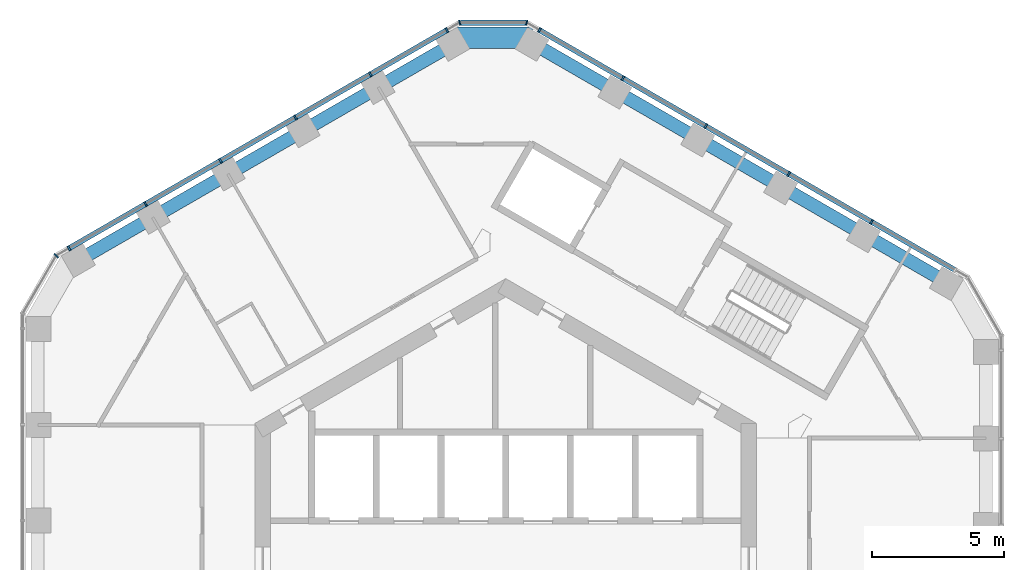
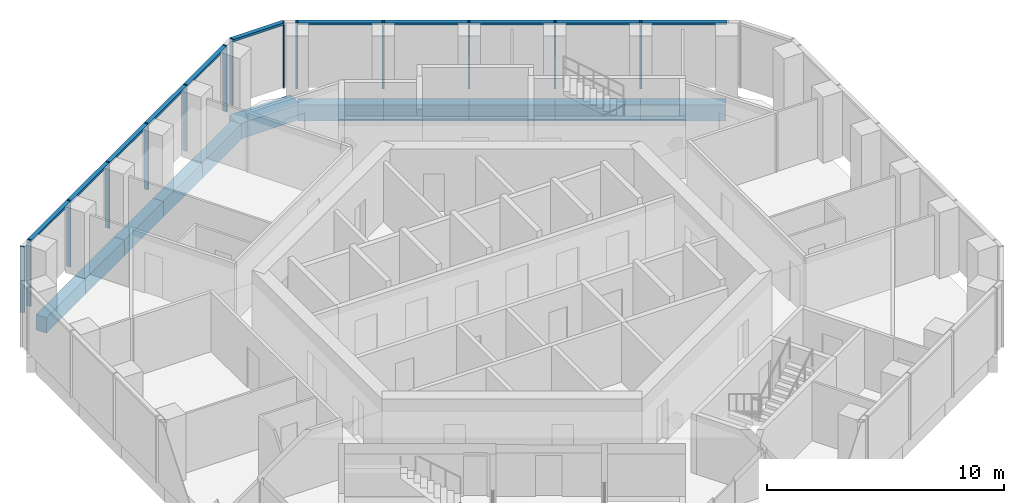
# One storey, part 6 of 18: 17 members, 11 beams, 4 elements without a shape of their own.
"""IFC4 building model written with IfcOpenShell, lengths in metres."""

from ifc_helpers import new_model, si_unit, direction, frame, origin, origin_2d, place, context, subcontext, project, spatial, rectangle, extrude, material, layer, layer_set, material_profile, profile_set, type_object, element, aggregate, save


model = new_model("IFC4")

# Units and contexts
model_context = context("Model", 3, precision=1e-05, world=origin(), true_north=direction((0.0, 1.0)))
body_context = subcontext(model_context, "Body", "Model", "MODEL_VIEW")
ifc_project = project(units=[si_unit("LENGTHUNIT", "METRE"), si_unit("AREAUNIT", "SQUARE_METRE"), si_unit("VOLUMEUNIT", "CUBIC_METRE"), si_unit("PLANEANGLEUNIT", "RADIAN"), si_unit("MASSUNIT", "GRAM", prefix="KILO")], contexts=[model_context])

# Site, building, storey
site_placement = place(None, origin())
site = spatial("IfcSite", under=ifc_project, at=site_placement, CompositionType="ELEMENT")
building_placement = place(site_placement, origin())
building = spatial("IfcBuilding", under=site, at=building_placement, Name="Ayvan Gate Tower", CompositionType="ELEMENT")
storey_placement = place(building_placement, frame((0.0, 0.0, 179.89990234375)))
storey = spatial("IfcBuildingStorey", under=building, at=storey_placement, Name="L48", CompositionType="ELEMENT", Elevation=179.89990234375)

# Beams
ifc_material_1 = material(Name="Concrete C40/50", Category="concrete")
ifc_material_profile_1 = material_profile(ifc_material_1, rectangle(XDim=0.800048828125, YDim=0.800048828125, at=origin_2d()), Name="RC 800x800")
ifc_profile_set_1 = profile_set([ifc_material_profile_1], Name="Concrete C40/50")
beam_type_1 = type_object("IfcBeamType", Name="Corner spandrel beam RC 800x800 C40/50", PredefinedType="BEAM", material=ifc_profile_set_1)
beam_1_placement = place(storey_placement, frame((1.038330078125, 20.08740234375, -0.75), z_axis=(-1.0, 0.0, 0.0), x_axis=(0.0, -1.0, 0.0)))
element("IfcBeam", 1, at=beam_1_placement, inside=storey, type_object=beam_type_1, Name="SB-L48-12", PredefinedType="BEAM", context=body_context, shape_type="SweptSolid", body=[
    extrude(rectangle(XDim=0.800048828125, YDim=0.800048828125, at=origin_2d()), origin(), (0.0, 0.0, 1.0), 3.0),
])
ifc_material_profile_2 = material_profile(ifc_material_1, rectangle(XDim=0.5, YDim=0.800048828125, at=origin_2d()), Name="RC 500x800")
ifc_profile_set_2 = profile_set([ifc_material_profile_2], Name="Concrete C40/50")
beam_type_2 = type_object("IfcBeamType", Name="Spandrel beam RC 500x800 C40/50", PredefinedType="BEAM", material=ifc_profile_set_2)
for number, where, z_axis, x_axis, name in (
    (2, (16.6865234375, 10.8330078125, -0.75), (-0.866026957163, 0.49999730946, 0.0), (-0.49999730946, -0.866026957163, 0.0), "SB-L48-7"),
    (3, (13.556884765625, 12.639892578125, -0.75), (-0.866026957163, 0.49999730946, 0.0), (-0.49999730946, -0.866026957163, 0.0), "SB-L48-8"),
    (4, (10.42724609375, 14.44677734375, -0.75), (-0.866026957163, 0.49999730946, 0.0), (-0.49999730946, -0.866026957163, 0.0), "SB-L48-9"),
    (5, (7.297607421875, 16.253662109375, -0.75), (-0.866026957163, 0.49999730946, 0.0), (-0.49999730946, -0.866026957163, 0.0), "SB-L48-10"),
    (6, (4.16796875, 18.060546875, -0.75), (-0.866026957163, 0.49999730946, 0.0), (-0.49999730946, -0.866026957163, 0.0), "SB-L48-11"),
):
    element("IfcBeam", number, at=place(storey_placement, frame(where, z_axis=z_axis, x_axis=x_axis)), inside=storey, type_object=beam_type_2, Name=name, PredefinedType="BEAM", context=body_context, shape_type="SweptSolid", body=[
        extrude(rectangle(XDim=0.5, YDim=0.800048828125, at=origin_2d()), origin(), (0.0, 0.0, 1.0), 3.61376953125),
    ])
beam_2_placement = place(storey_placement, frame((-1.961669921875, 19.867431640625, -0.75), z_axis=(-0.866017718408, -0.500013311227, 0.0), x_axis=(0.500013311227, -0.866017718408, 0.0)))
element("IfcBeam", 7, at=beam_2_placement, inside=storey, type_object=beam_type_2, Name="SB-L48-13", PredefinedType="BEAM", context=body_context, shape_type="SweptSolid", body=[
    extrude(rectangle(XDim=0.5, YDim=0.800048828125, at=origin_2d()), origin(), (0.0, 0.0, 1.0), 3.2939453125),
])
beam_3_placement = place(storey_placement, frame((-4.814208984375, 18.220458984375, -0.75), z_axis=(-0.866036247602, -0.499981217486, 0.0), x_axis=(0.499981217486, -0.866036247602, 0.0)))
element("IfcBeam", 8, at=beam_3_placement, inside=storey, type_object=beam_type_2, Name="SB-L48-14", PredefinedType="BEAM", context=body_context, shape_type="SweptSolid", body=[
    extrude(rectangle(XDim=0.5, YDim=0.800048828125, at=origin_2d()), origin(), (0.0, 0.0, 1.0), 3.294189453125),
])
beam_4_placement = place(storey_placement, frame((-7.6669921875, 16.573486328125, -0.75), z_axis=(-0.866017718408, -0.500013311227, 0.0), x_axis=(0.500013311227, -0.866017718408, 0.0)))
element("IfcBeam", 9, at=beam_4_placement, inside=storey, type_object=beam_type_2, Name="SB-L48-15", PredefinedType="BEAM", context=body_context, shape_type="SweptSolid", body=[
    extrude(rectangle(XDim=0.5, YDim=0.800048828125, at=origin_2d()), origin(), (0.0, 0.0, 1.0), 3.2939453125),
])
beam_5_placement = place(storey_placement, frame((-10.51953125, 14.926513671875, -0.75), z_axis=(-0.866036247602, -0.499981217486, 0.0), x_axis=(0.499981217486, -0.866036247602, 0.0)))
element("IfcBeam", 10, at=beam_5_placement, inside=storey, type_object=beam_type_2, Name="SB-L48-16", PredefinedType="BEAM", context=body_context, shape_type="SweptSolid", body=[
    extrude(rectangle(XDim=0.5, YDim=0.800048828125, at=origin_2d()), origin(), (0.0, 0.0, 1.0), 3.294189453125),
])
beam_6_placement = place(storey_placement, frame((-13.372314453125, 13.279541015625, -0.75), z_axis=(-0.866017718408, -0.500013311227, 0.0), x_axis=(0.500013311227, -0.866017718408, 0.0)))
element("IfcBeam", 11, at=beam_6_placement, inside=storey, type_object=beam_type_2, Name="SB-L48-17", PredefinedType="BEAM", context=body_context, shape_type="SweptSolid", body=[
    extrude(rectangle(XDim=0.5, YDim=0.800048828125, at=origin_2d()), origin(), (0.0, 0.0, 1.0), 3.2939453125),
])

# Curtain wall, members
ifc_material_2 = material(Name="Bronze anodised aluminium", Category="aluminium")
ifc_layer_1 = layer(ifc_material_2, 0.199951171875)
ifc_layer_set_1 = layer_set([ifc_layer_1], Name="Bronze anodised aluminium")
curtain_wall_type_1 = type_object("IfcCurtainWallType", Name="Stick curtain wall CW-2", PredefinedType="NOTDEFINED", material=ifc_layer_set_1)
curtain_wall_1_placement = place(storey_placement, origin())
curtain_wall_1 = element("IfcCurtainWall", 12, at=curtain_wall_1_placement, inside=storey, type_object=curtain_wall_type_1, Name="Stick curtain wall CW-2 L48", PredefinedType="NOTDEFINED")
ifc_material_profile_3 = material_profile(ifc_material_2, rectangle(XDim=0.199951171875, YDim=0.070068359375, at=origin_2d()), Name="Stick curtain wall CW-2 mullion 200 x 70")
ifc_profile_set_3 = profile_set([ifc_material_profile_3], Name="Bronze anodised aluminium")
member_type_1 = type_object("IfcMemberType", Name="Stick curtain wall CW-2 mullion 200 x 70", PredefinedType="MULLION", material=ifc_profile_set_3)
member_1_placement = place(storey_placement, frame((-2.22705078125, 20.378173828125, 0.0), z_axis=(0.0, 0.0, 1.0), x_axis=(-0.5, 0.866025403784, 0.0)))
member_1 = element("IfcMember", 13, at=member_1_placement, type_object=member_type_1, Name="CW-2 mullion 1", PredefinedType="MULLION", context=body_context, shape_type="SweptSolid", body=[
    extrude(rectangle(XDim=0.199951171875, YDim=0.070068359375, at=origin_2d()), origin(), (0.0, 0.0, 1.0), 3.400146484375),
])
member_2_placement = place(storey_placement, frame((-5.12744140625, 18.70361328125, 0.0), z_axis=(0.0, 0.0, 1.0), x_axis=(-0.5, 0.866025403784, 0.0)))
member_2 = element("IfcMember", 14, at=member_2_placement, type_object=member_type_1, Name="CW-2 mullion 2", PredefinedType="MULLION", context=body_context, shape_type="SweptSolid", body=[
    extrude(rectangle(XDim=0.199951171875, YDim=0.070068359375, at=origin_2d()), origin(), (0.0, 0.0, 1.0), 3.400146484375),
])
member_3_placement = place(storey_placement, frame((-7.962646484375, 17.066650390625, 0.0), z_axis=(0.0, 0.0, 1.0), x_axis=(-0.5, 0.866025403784, 0.0)))
member_3 = element("IfcMember", 15, at=member_3_placement, type_object=member_type_1, Name="CW-2 mullion 3", PredefinedType="MULLION", context=body_context, shape_type="SweptSolid", body=[
    extrude(rectangle(XDim=0.199951171875, YDim=0.070068359375, at=origin_2d()), origin(), (0.0, 0.0, 1.0), 3.400146484375),
])
member_4_placement = place(storey_placement, frame((-10.798828125, 15.42919921875, 0.0), z_axis=(0.0, 0.0, 1.0), x_axis=(-0.5, 0.866025403784, 0.0)))
member_4 = element("IfcMember", 16, at=member_4_placement, type_object=member_type_1, Name="CW-2 mullion 4", PredefinedType="MULLION", context=body_context, shape_type="SweptSolid", body=[
    extrude(rectangle(XDim=0.199951171875, YDim=0.070068359375, at=origin_2d()), origin(), (0.0, 0.0, 1.0), 3.400146484375),
])
member_5_placement = place(storey_placement, frame((-13.63427734375, 13.792236328125, 0.0), z_axis=(0.0, 0.0, 1.0), x_axis=(-0.5, 0.866025403784, 0.0)))
member_5 = element("IfcMember", 17, at=member_5_placement, type_object=member_type_1, Name="CW-2 mullion 5", PredefinedType="MULLION", context=body_context, shape_type="SweptSolid", body=[
    extrude(rectangle(XDim=0.199951171875, YDim=0.070068359375, at=origin_2d()), origin(), (0.0, 0.0, 1.0), 3.400146484375),
])
member_6_placement = place(storey_placement, frame((-16.534423828125, 12.11767578125, 0.0), z_axis=(0.0, 0.0, 1.0), x_axis=(-0.5, 0.866025403784, 0.0)))
member_6 = element("IfcMember", 18, at=member_6_placement, type_object=member_type_1, Name="CW-2 mullion 6", PredefinedType="MULLION", context=body_context, shape_type="SweptSolid", body=[
    extrude(rectangle(XDim=0.199951171875, YDim=0.070068359375, at=origin_2d()), origin(), (0.0, 0.0, 1.0), 3.400146484375),
])

curtain_wall_2_placement = place(storey_placement, origin())
curtain_wall_2 = element("IfcCurtainWall", 19, at=curtain_wall_2_placement, inside=storey, type_object=curtain_wall_type_1, Name="Stick curtain wall CW-2 L48", PredefinedType="NOTDEFINED")
member_7_placement = place(storey_placement, frame((13.850830078125, 13.118896484375, 0.0), z_axis=(0.0, 0.0, 1.0), x_axis=(0.5, 0.866025403784, 0.0)))
member_7 = element("IfcMember", 20, at=member_7_placement, type_object=member_type_1, Name="CW-2 mullion 2", PredefinedType="MULLION", context=body_context, shape_type="SweptSolid", body=[
    extrude(rectangle(XDim=0.199951171875, YDim=0.070068359375, at=origin_2d()), origin(), (0.0, 0.0, 1.0), 3.400146484375),
])
member_8_placement = place(storey_placement, frame((10.71240234375, 14.930908203125, 0.0), z_axis=(0.0, 0.0, 1.0), x_axis=(0.5, 0.866025403784, 0.0)))
member_8 = element("IfcMember", 21, at=member_8_placement, type_object=member_type_1, Name="CW-2 mullion 3", PredefinedType="MULLION", context=body_context, shape_type="SweptSolid", body=[
    extrude(rectangle(XDim=0.199951171875, YDim=0.070068359375, at=origin_2d()), origin(), (0.0, 0.0, 1.0), 3.400146484375),
])
member_9_placement = place(storey_placement, frame((7.573974609375, 16.742919921875, 0.0), z_axis=(0.0, 0.0, 1.0), x_axis=(0.5, 0.866025403784, 0.0)))
member_9 = element("IfcMember", 22, at=member_9_placement, type_object=member_type_1, Name="CW-2 mullion 4", PredefinedType="MULLION", context=body_context, shape_type="SweptSolid", body=[
    extrude(rectangle(XDim=0.199951171875, YDim=0.070068359375, at=origin_2d()), origin(), (0.0, 0.0, 1.0), 3.400146484375),
])
member_10_placement = place(storey_placement, frame((4.436279296875, 18.554443359375, 0.0), z_axis=(0.0, 0.0, 1.0), x_axis=(0.5, 0.866025403784, 0.0)))
member_10 = element("IfcMember", 23, at=member_10_placement, type_object=member_type_1, Name="CW-2 mullion 5", PredefinedType="MULLION", context=body_context, shape_type="SweptSolid", body=[
    extrude(rectangle(XDim=0.199951171875, YDim=0.070068359375, at=origin_2d()), origin(), (0.0, 0.0, 1.0), 3.400146484375),
])
member_11_placement = place(storey_placement, frame((1.277587890625, 20.378173828125, 0.0), z_axis=(0.0, 0.0, 1.0), x_axis=(0.5, 0.866025403784, 0.0)))
member_11 = element("IfcMember", 24, at=member_11_placement, type_object=member_type_1, Name="CW-2 mullion 6", PredefinedType="MULLION", context=body_context, shape_type="SweptSolid", body=[
    extrude(rectangle(XDim=0.199951171875, YDim=0.070068359375, at=origin_2d()), origin(), (0.0, 0.0, 1.0), 3.400146484375),
])

# Member
ifc_material_profile_4 = material_profile(ifc_material_2, rectangle(XDim=0.199951171875, YDim=0.1201171875, at=origin_2d()), Name="Stick curtain wall CW-2 transom 200 x 120")
ifc_profile_set_4 = profile_set([ifc_material_profile_4], Name="Bronze anodised aluminium")
member_type_2 = type_object("IfcMemberType", Name="Stick curtain wall CW-2 transom 200 x 120", PredefinedType="USERDEFINED", material=ifc_profile_set_4)
member_12_placement = place(storey_placement, frame((-2.22705078125, 20.378173828125, 3.340087890625), z_axis=(-0.866021934407, -0.500006009089, 0.0), x_axis=(0.500006009089, -0.866021934407, 0.0)))
member_12 = element("IfcMember", 25, at=member_12_placement, type_object=member_type_2, Name="CW-2 transom 1", ObjectType="TRANSOM", PredefinedType="USERDEFINED", context=body_context, shape_type="SweptSolid", body=[
    extrude(rectangle(XDim=0.199951171875, YDim=0.1201171875, at=origin_2d()), origin(), (0.0, 0.0, 1.0), 16.520751953125),
])

aggregate(curtain_wall_1, [member_1, member_2, member_3, member_4, member_5, member_6, member_12])

member_13_placement = place(storey_placement, frame((17.00927734375, 11.29541015625, 3.340087890625), z_axis=(-0.866023770186, 0.500002829465, 0.0), x_axis=(-0.500002829465, -0.866023770186, 0.0)))
member_13 = element("IfcMember", 26, at=member_13_placement, type_object=member_type_2, Name="CW-2 transom 1", ObjectType="TRANSOM", PredefinedType="USERDEFINED", context=body_context, shape_type="SweptSolid", body=[
    extrude(rectangle(XDim=0.199951171875, YDim=0.1201171875, at=origin_2d()), origin(), (0.0, 0.0, 1.0), 18.16552734375),
])

aggregate(curtain_wall_2, [member_7, member_8, member_9, member_10, member_11, member_13])

# Curtain wall, member
ifc_layer_2 = layer(ifc_material_2, 0.199951171875)
ifc_layer_set_2 = layer_set([ifc_layer_2], Name="Bronze anodised aluminium")
curtain_wall_type_2 = type_object("IfcCurtainWallType", Name="Stick curtain wall CW-6", PredefinedType="NOTDEFINED", material=ifc_layer_set_2)
curtain_wall_3_placement = place(storey_placement, origin())
curtain_wall_3 = element("IfcCurtainWall", 27, at=curtain_wall_3_placement, inside=storey, type_object=curtain_wall_type_2, Name="Stick curtain wall CW-6 L48", PredefinedType="NOTDEFINED")
ifc_material_profile_5 = material_profile(ifc_material_2, rectangle(XDim=0.199951171875, YDim=0.050048828125, at=origin_2d()), Name="Stick curtain wall CW-6 mullion 200 x 50")
ifc_profile_set_5 = profile_set([ifc_material_profile_5], Name="Bronze anodised aluminium")
member_type_3 = type_object("IfcMemberType", Name="Stick curtain wall CW-6 mullion 200 x 50", PredefinedType="MULLION", material=ifc_profile_set_5)
member_14_placement = place(storey_placement, frame((-17.01953125, 11.837646484375, 0.0), z_axis=(0.0, 0.0, 1.0), x_axis=(-0.707106781187, 0.707106781187, 0.0)))
member_14 = element("IfcMember", 28, at=member_14_placement, type_object=member_type_3, Name="CW-6 mullion 2", PredefinedType="MULLION", context=body_context, shape_type="SweptSolid", body=[
    extrude(rectangle(XDim=0.199951171875, YDim=0.050048828125, at=origin_2d()), origin(), (0.0, 0.0, 1.0), 3.400146484375),
])
aggregate(curtain_wall_3, [member_14])

# Curtain wall, members
curtain_wall_4_placement = place(storey_placement, origin())
curtain_wall_4 = element("IfcCurtainWall", 29, at=curtain_wall_4_placement, inside=storey, type_object=curtain_wall_type_2, Name="Stick curtain wall CW-6 L48", PredefinedType="NOTDEFINED")
member_15_placement = place(storey_placement, frame((0.79248046875, 20.658203125, 0.0), z_axis=(0.0, 0.0, 1.0), x_axis=(0.258819045103, 0.965925826289, 0.0)))
member_15 = element("IfcMember", 30, at=member_15_placement, type_object=member_type_3, Name="CW-6 mullion 2", PredefinedType="MULLION", context=body_context, shape_type="SweptSolid", body=[
    extrude(rectangle(XDim=0.199951171875, YDim=0.050048828125, at=origin_2d()), origin(), (0.0, 0.0, 1.0), 3.400146484375),
])
member_16_placement = place(storey_placement, frame((-1.741943359375, 20.658203125, 0.0), z_axis=(0.0, 0.0, 1.0), x_axis=(-0.258819045103, 0.965925826289, 0.0)))
member_16 = element("IfcMember", 31, at=member_16_placement, type_object=member_type_3, Name="CW-6 mullion 3", PredefinedType="MULLION", context=body_context, shape_type="SweptSolid", body=[
    extrude(rectangle(XDim=0.199951171875, YDim=0.050048828125, at=origin_2d()), origin(), (0.0, 0.0, 1.0), 3.400146484375),
])
ifc_material_profile_6 = material_profile(ifc_material_2, rectangle(XDim=0.199951171875, YDim=0.1201171875, at=origin_2d()), Name="Stick curtain wall CW-6 transom 200 x 120")
ifc_profile_set_6 = profile_set([ifc_material_profile_6], Name="Bronze anodised aluminium")
member_type_4 = type_object("IfcMemberType", Name="Stick curtain wall CW-6 transom 200 x 120", PredefinedType="USERDEFINED", material=ifc_profile_set_6)
member_17_placement = place(storey_placement, frame((0.767578125, 20.658203125, 3.340087890625), z_axis=(-1.0, 0.0, 0.0), x_axis=(0.0, -1.0, 0.0)))
member_17 = element("IfcMember", 32, at=member_17_placement, type_object=member_type_4, Name="CW-6 transom 2", ObjectType="TRANSOM", PredefinedType="USERDEFINED", context=body_context, shape_type="SweptSolid", body=[
    extrude(rectangle(XDim=0.199951171875, YDim=0.1201171875, at=origin_2d()), origin(), (0.0, 0.0, 1.0), 2.484619140625),
])
aggregate(curtain_wall_4, [member_15, member_16, member_17])

save(model, "model.ifc")
